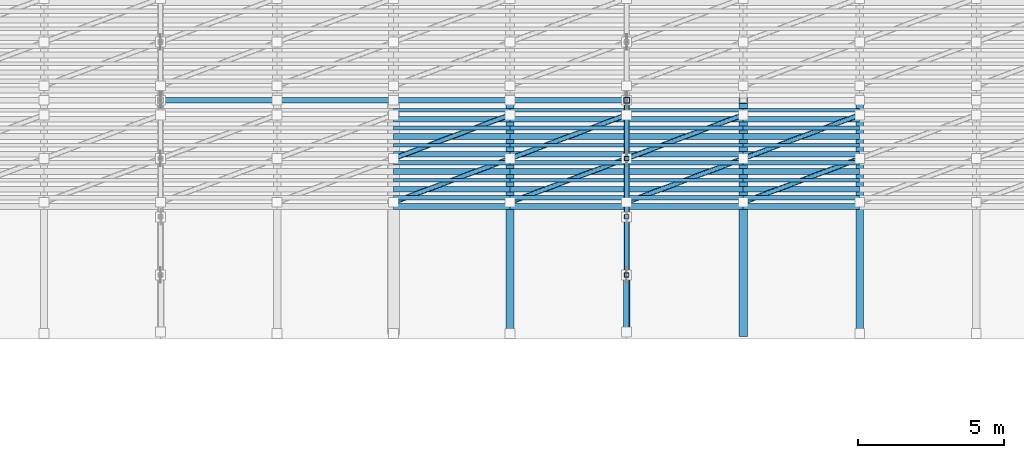
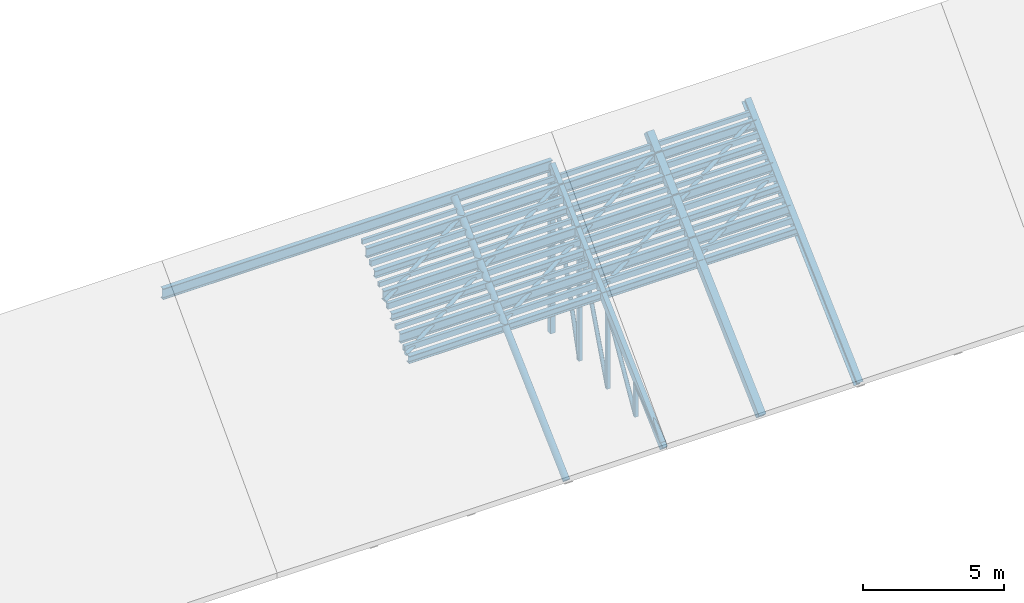
# One storey, part 7 of 18: 69 members.
"""IFC4 building model written with IfcOpenShell, lengths in metres."""

from ifc_helpers import new_model, si_unit, direction, frame, origin, origin_2d, place, context, subcontext, project, spatial, hollow_rectangle, hollow_circle, i_section, extrude, material, material_profile, profile_set, type_object, element, save


model = new_model("IFC4")

# Units and contexts
model_context = context("Model", 3, precision=1e-05, world=origin(), true_north=direction((0.0, 1.0)))
body_context = subcontext(model_context, "Body", "Model", "MODEL_VIEW")
ifc_project = project(units=[si_unit("LENGTHUNIT", "METRE"), si_unit("AREAUNIT", "SQUARE_METRE"), si_unit("VOLUMEUNIT", "CUBIC_METRE"), si_unit("PLANEANGLEUNIT", "RADIAN"), si_unit("MASSUNIT", "GRAM", prefix="KILO")], contexts=[model_context])

# Site, building, storey
site_placement = place(None, origin())
site = spatial("IfcSite", under=ifc_project, at=site_placement, CompositionType="ELEMENT")
building_placement = place(site_placement, origin())
building = spatial("IfcBuilding", under=site, at=building_placement, Name="Serraluz Foothill Cableway Terminal", CompositionType="ELEMENT")
storey_placement = place(building_placement, frame((0.0, 0.0, 24.300048828125)))
storey = spatial("IfcBuildingStorey", under=building, at=storey_placement, Name="RF", CompositionType="ELEMENT", Elevation=24.300048828125)

# Members
ifc_material_1 = material(Name="Steel ASTM A572 Grade 50", Category="steel")
ifc_material_profile_1 = material_profile(ifc_material_1, hollow_circle(Radius=0.084228515625, WallThickness=0.010009765625, at=origin_2d()), Name="CHS168X10")
ifc_profile_set_1 = profile_set([ifc_material_profile_1], Name="Steel ASTM A572 Grade 50")
member_type_1 = type_object("IfcMemberType", Name="TYP-BR-CHS168", PredefinedType="BRACE", material=ifc_profile_set_1)
member_1_placement = place(storey_placement, frame((120.0, 58.0302734375, -4.568115234375), z_axis=(0.0, 0.502584169831, 0.864528283074), x_axis=(-1.0, 0.0, 0.0)))
element("IfcMember", 1, at=member_1_placement, inside=storey, type_object=member_type_1, Name="ROOF TRUSS TR-06 Diagonal 2", PredefinedType="BRACE", context=body_context, shape_type="SweptSolid", body=[
    extrude(hollow_circle(Radius=0.084228515625, WallThickness=0.010009765625, at=origin_2d()), origin(), (0.0, 0.0, 1.0), 3.85888671875),
])
member_2_placement = place(storey_placement, frame((120.0, 60.02099609375, -4.56396484375), z_axis=(0.0, 0.352230195063, 0.935913398604), x_axis=(-1.0, 0.0, 0.0)))
element("IfcMember", 2, at=member_2_placement, inside=storey, type_object=member_type_1, Name="ROOF TRUSS TR-06 Diagonal 3", PredefinedType="BRACE", context=body_context, shape_type="SweptSolid", body=[
    extrude(hollow_circle(Radius=0.084228515625, WallThickness=0.010009765625, at=origin_2d()), origin(), (0.0, 0.0, 1.0), 5.558837890625),
])
member_3_placement = place(storey_placement, frame((120.0, 62.01611328125, -4.562255859375), z_axis=(0.0, 0.26797823219, 0.963424967017), x_axis=(-1.0, 0.0, 0.0)))
element("IfcMember", 3, at=member_3_placement, inside=storey, type_object=member_type_1, Name="ROOF TRUSS TR-06 Diagonal 4", PredefinedType="BRACE", context=body_context, shape_type="SweptSolid", body=[
    extrude(hollow_circle(Radius=0.084228515625, WallThickness=0.010009765625, at=origin_2d()), origin(), (0.0, 0.0, 1.0), 7.343017578125),
])
for number, where, z_axis, x_axis, name in (
    (4, (112.0, 60.5, -0.641357421875), (0.889382269185, 0.333518350944, 0.31267345401), (-0.351123441588, 0.936329177569, 0.0), "Roof Lateral Wind Brace 0529"),
    (5, (112.0, 62.0, 0.764892578125), (0.889382269185, 0.333518350944, 0.31267345401), (-0.351123441588, 0.936329177569, 0.0), "Roof Lateral Wind Brace 0530"),
    (6, (116.0, 60.5, -0.641357421875), (0.889382269185, 0.333518350944, 0.31267345401), (-0.351123441588, 0.936329177569, 0.0), "Roof Lateral Wind Brace 0557"),
    (7, (116.0, 62.0, 0.764892578125), (0.889382269185, 0.333518350944, 0.31267345401), (-0.351123441588, 0.936329177569, 0.0), "Roof Lateral Wind Brace 0558"),
    (8, (120.0, 60.5, -0.641357421875), (0.889382269185, 0.333518350944, 0.31267345401), (-0.351123441588, 0.936329177569, 0.0), "Roof Lateral Wind Brace 0585"),
    (9, (120.0, 62.0, 0.764892578125), (0.889382269185, 0.333518350944, 0.31267345401), (-0.351123441588, 0.936329177569, 0.0), "Roof Lateral Wind Brace 0586"),
    (10, (124.0, 60.5, -0.641357421875), (0.889382269185, 0.333518350944, 0.31267345401), (-0.351123441588, 0.936329177569, 0.0), "Roof Lateral Wind Brace 0613"),
    (11, (124.0, 62.0, 0.764892578125), (0.889382269185, 0.333518350944, 0.31267345401), (-0.351123441588, 0.936329177569, 0.0), "Roof Lateral Wind Brace 0614"),
):
    element("IfcMember", number, at=place(storey_placement, frame(where, z_axis=z_axis, x_axis=x_axis)), inside=storey, type_object=member_type_1, Name=name, PredefinedType="BRACE", context=body_context, shape_type="SweptSolid", body=[
        extrude(hollow_circle(Radius=0.084228515625, WallThickness=0.010009765625, at=origin_2d()), origin(), (0.0, 0.0, 1.0), 4.49755859375),
    ])
ifc_material_profile_2 = material_profile(ifc_material_1, hollow_circle(Radius=0.109619140625, WallThickness=0.011962890625, at=origin_2d()), Name="CHS219X12")
ifc_profile_set_2 = profile_set([ifc_material_profile_2], Name="Steel ASTM A572 Grade 50")
member_type_2 = type_object("IfcMemberType", Name="TYP-BR-CHS219", PredefinedType="BRACE", material=ifc_profile_set_2)
member_4_placement = place(storey_placement, frame((120.0, 56.04736328125, -4.5830078125), z_axis=(0.0, 0.787528424659, 0.616278330265), x_axis=(-1.0, 0.0, 0.0)))
element("IfcMember", 12, at=member_4_placement, inside=storey, type_object=member_type_2, Name="ROOF TRUSS TR-06 Diagonal 1", PredefinedType="BRACE", context=body_context, shape_type="SweptSolid", body=[
    extrude(hollow_circle(Radius=0.109619140625, WallThickness=0.011962890625, at=origin_2d()), origin(), (0.0, 0.0, 1.0), 2.419189453125),
])
ifc_material_profile_3 = material_profile(ifc_material_1, hollow_circle(Radius=0.136474609375, WallThickness=0.011962890625, at=origin_2d()), Name="CHS273X12")
ifc_profile_set_3 = profile_set([ifc_material_profile_3], Name="Steel ASTM A572 Grade 50")
member_type_3 = type_object("IfcMemberType", Name="TYP-BR-CHS273", PredefinedType="BRACE", material=ifc_profile_set_3)
member_5_placement = place(storey_placement, frame((116.0, 56.0, -4.800048828125), z_axis=(0.0, 0.72953720414, 0.683941128881), x_axis=(-1.0, 0.0, 0.0)))
element("IfcMember", 13, at=member_5_placement, inside=storey, type_object=member_type_3, Name="Secondary Roof Rafter 0029", PredefinedType="BRACE", context=body_context, shape_type="SweptSolid", body=[
    extrude(hollow_circle(Radius=0.136474609375, WallThickness=0.011962890625, at=origin_2d()), origin(), (0.0, 0.0, 1.0), 10.9658203125),
])
ifc_material_profile_4 = material_profile(ifc_material_1, hollow_rectangle(XDim=0.14990234375, YDim=0.14990234375, WallThickness=0.010009765625, at=origin_2d()), Name="HSS150X150X10")
ifc_profile_set_4 = profile_set([ifc_material_profile_4], Name="Steel ASTM A572 Grade 50")
member_type_4 = type_object("IfcMemberType", Name="TYP-BR-HSS150", PredefinedType="BRACE", material=ifc_profile_set_4)
member_6_placement = place(storey_placement, frame((120.0, 58.0, -4.610107421875), z_axis=(0.0, 0.0, 1.0), x_axis=(1.0, 0.0, 0.0)))
element("IfcMember", 14, at=member_6_placement, inside=storey, type_object=member_type_4, Name="ROOF TRUSS TR-06 Web Post 1", PredefinedType="BRACE", context=body_context, shape_type="SweptSolid", body=[
    extrude(hollow_rectangle(XDim=0.14990234375, YDim=0.14990234375, WallThickness=0.010009765625, at=origin_2d()), origin(), (0.0, 0.0, 1.0), 1.545166015625),
])
member_7_placement = place(storey_placement, frame((120.0, 60.0, -4.610107421875), z_axis=(0.0, 0.0, 1.0), x_axis=(1.0, 0.0, 0.0)))
element("IfcMember", 15, at=member_7_placement, inside=storey, type_object=member_type_4, Name="ROOF TRUSS TR-06 Web Post 2", PredefinedType="BRACE", context=body_context, shape_type="SweptSolid", body=[
    extrude(hollow_rectangle(XDim=0.14990234375, YDim=0.14990234375, WallThickness=0.010009765625, at=origin_2d()), origin(), (0.0, 0.0, 1.0), 3.420166015625),
])
member_8_placement = place(storey_placement, frame((120.0, 62.0, -4.610107421875), z_axis=(0.0, 0.0, 1.0), x_axis=(1.0, 0.0, 0.0)))
element("IfcMember", 16, at=member_8_placement, inside=storey, type_object=member_type_4, Name="ROOF TRUSS TR-06 Web Post 3", PredefinedType="BRACE", context=body_context, shape_type="SweptSolid", body=[
    extrude(hollow_rectangle(XDim=0.14990234375, YDim=0.14990234375, WallThickness=0.010009765625, at=origin_2d()), origin(), (0.0, 0.0, 1.0), 5.295166015625),
])
ifc_material_profile_5 = material_profile(ifc_material_1, hollow_rectangle(XDim=0.199951171875, YDim=0.199951171875, WallThickness=0.011962890625, at=origin_2d()), Name="HSS200X200X12")
ifc_profile_set_5 = profile_set([ifc_material_profile_5], Name="Steel ASTM A572 Grade 50")
member_type_5 = type_object("IfcMemberType", Name="TYP-BR-HSS200", PredefinedType="BRACE", material=ifc_profile_set_5)
member_9_placement = place(storey_placement, frame((120.0, 64.0, -4.610107421875), z_axis=(0.0, 0.0, 1.0), x_axis=(1.0, 0.0, 0.0)))
element("IfcMember", 17, at=member_9_placement, inside=storey, type_object=member_type_5, Name="ROOF TRUSS TR-06 Web Post 4", PredefinedType="BRACE", context=body_context, shape_type="SweptSolid", body=[
    extrude(hollow_rectangle(XDim=0.199951171875, YDim=0.199951171875, WallThickness=0.011962890625, at=origin_2d()), origin(), (0.0, 0.0, 1.0), 7.170166015625),
])
ifc_material_2 = material(Name="Steel ASTM A992 Grade 50", Category="steel")
ifc_material_profile_6 = material_profile(ifc_material_2, i_section(OverallWidth=0.25390625, OverallDepth=0.35595703125, WebThickness=0.010498046875, FlangeThickness=0.018310546875, FilletRadius=0.014892578125, at=origin_2d()), Name="W14X68")
ifc_profile_set_6 = profile_set([ifc_material_profile_6], Name="Steel ASTM A992 Grade 50")
member_type_6 = type_object("IfcMemberType", Name="TYP-BR-W14X68", PredefinedType="BRACE", material=ifc_profile_set_6)
member_10_placement = place(storey_placement, frame((128.0, 56.0, -4.800048828125), z_axis=(0.0, 0.72953720414, 0.683941128881), x_axis=(-1.0, 0.0, 0.0)))
element("IfcMember", 18, at=member_10_placement, inside=storey, type_object=member_type_6, Name="Secondary Roof Rafter 0033", PredefinedType="BRACE", context=body_context, shape_type="SweptSolid", body=[
    extrude(i_section(OverallWidth=0.25390625, OverallDepth=0.35595703125, WebThickness=0.010498046875, FlangeThickness=0.018310546875, FilletRadius=0.014892578125, at=origin_2d()), origin(), (0.0, 0.0, 1.0), 10.9658203125),
])
ifc_material_profile_7 = material_profile(ifc_material_1, hollow_rectangle(XDim=0.300048828125, YDim=0.300048828125, WallThickness=0.01611328125, at=origin_2d()), Name="HSS300X300X16")
ifc_profile_set_7 = profile_set([ifc_material_profile_7], Name="Steel ASTM A572 Grade 50")
member_type_7 = type_object("IfcMemberType", Name="TYP-CH-HSS300", PredefinedType="CHORD", material=ifc_profile_set_7)
member_11_placement = place(storey_placement, frame((124.0, 56.0, -4.800048828125), z_axis=(0.0, 0.72953720414, 0.683941128881), x_axis=(-1.0, 0.0, 0.0)))
element("IfcMember", 19, at=member_11_placement, inside=storey, type_object=member_type_7, Name="Secondary Roof Rafter 0031", PredefinedType="CHORD", context=body_context, shape_type="SweptSolid", body=[
    extrude(hollow_rectangle(XDim=0.300048828125, YDim=0.300048828125, WallThickness=0.01611328125, at=origin_2d()), origin(), (0.0, 0.0, 1.0), 10.9658203125),
])
ifc_material_profile_8 = material_profile(ifc_material_1, hollow_rectangle(XDim=0.199951171875, YDim=0.300048828125, WallThickness=0.011962890625, at=origin_2d()), Name="HSS300X200X12")
ifc_profile_set_8 = profile_set([ifc_material_profile_8], Name="Steel ASTM A572 Grade 50")
member_type_8 = type_object("IfcMemberType", Name="TYP-CH-HSS300X200", PredefinedType="CHORD", material=ifc_profile_set_8)
member_12_placement = place(storey_placement, frame((120.0, 56.0, -4.800048828125), z_axis=(0.0, 0.72953720414, 0.683941128881), x_axis=(-1.0, 0.0, 0.0)))
element("IfcMember", 20, at=member_12_placement, inside=storey, type_object=member_type_8, Name="ROOF TRUSS TR-06 Top Chord 1", PredefinedType="CHORD", context=body_context, shape_type="SweptSolid", body=[
    extrude(hollow_rectangle(XDim=0.199951171875, YDim=0.300048828125, WallThickness=0.011962890625, at=origin_2d()), origin(), (0.0, 0.0, 1.0), 10.9658203125),
])
ifc_material_profile_9 = material_profile(ifc_material_1, hollow_rectangle(XDim=0.1201171875, YDim=0.199951171875, WallThickness=0.008056640625, at=origin_2d()), Name="HSS200X120X8")
ifc_profile_set_9 = profile_set([ifc_material_profile_9], Name="Steel ASTM A572 Grade 50")
member_type_9 = type_object("IfcMemberType", Name="TYP-PR-HSS200X120", PredefinedType="PURLIN", material=ifc_profile_set_9)
for number, where, z_axis, x_axis, name in (
    (21, (112.0, 61.25, 0.081787109375), (1.0, 0.0, 0.0), (0.0, 1.0, 0.0), "Secondary Roof Purlin 0508"),
    (22, (112.0, 62.449951171875, 1.206787109375), (1.0, 0.0, 0.0), (0.0, 1.0, 0.0), "Secondary Roof Purlin 0512"),
    (23, (112.0, 63.64990234375, 2.331787109375), (1.0, 0.0, 0.0), (0.0, 1.0, 0.0), "Secondary Roof Purlin 0516"),
    (24, (116.0, 61.25, 0.081787109375), (1.0, 0.0, 0.0), (0.0, 1.0, 0.0), "Secondary Roof Purlin 0536"),
    (25, (116.0, 62.449951171875, 1.206787109375), (1.0, 0.0, 0.0), (0.0, 1.0, 0.0), "Secondary Roof Purlin 0540"),
    (26, (116.0, 63.64990234375, 2.331787109375), (1.0, 0.0, 0.0), (0.0, 1.0, 0.0), "Secondary Roof Purlin 0544"),
    (27, (120.0, 61.25, 0.081787109375), (1.0, 0.0, 0.0), (0.0, 1.0, 0.0), "Secondary Roof Purlin 0564"),
    (28, (120.0, 62.449951171875, 1.206787109375), (1.0, 0.0, 0.0), (0.0, 1.0, 0.0), "Secondary Roof Purlin 0568"),
    (29, (120.0, 63.64990234375, 2.331787109375), (1.0, 0.0, 0.0), (0.0, 1.0, 0.0), "Secondary Roof Purlin 0572"),
    (30, (124.0, 61.25, 0.081787109375), (1.0, 0.0, 0.0), (0.0, 1.0, 0.0), "Secondary Roof Purlin 0592"),
    (31, (124.0, 62.449951171875, 1.206787109375), (1.0, 0.0, 0.0), (0.0, 1.0, 0.0), "Secondary Roof Purlin 0596"),
    (32, (124.0, 63.64990234375, 2.331787109375), (1.0, 0.0, 0.0), (0.0, 1.0, 0.0), "Secondary Roof Purlin 0600"),
):
    element("IfcMember", number, at=place(storey_placement, frame(where, z_axis=z_axis, x_axis=x_axis)), inside=storey, type_object=member_type_9, Name=name, PredefinedType="PURLIN", context=body_context, shape_type="SweptSolid", body=[
        extrude(hollow_rectangle(XDim=0.1201171875, YDim=0.199951171875, WallThickness=0.008056640625, at=origin_2d()), origin(), (0.0, 0.0, 1.0), 4.0),
    ])
ifc_material_profile_10 = material_profile(ifc_material_1, hollow_rectangle(XDim=0.14990234375, YDim=0.25, WallThickness=0.010009765625, at=origin_2d()), Name="HSS250X150X10")
ifc_profile_set_10 = profile_set([ifc_material_profile_10], Name="Steel ASTM A572 Grade 50")
member_type_10 = type_object("IfcMemberType", Name="TYP-PR-HSS250X150", PredefinedType="PURLIN", material=ifc_profile_set_10)
for number, where, z_axis, x_axis, name in (
    (33, (112.0, 60.64990234375, -0.480712890625), (1.0, 0.0, 0.0), (0.0, 1.0, 0.0), "Secondary Roof Purlin 0506"),
    (34, (112.0, 61.85009765625, 0.644287109375), (1.0, 0.0, 0.0), (0.0, 1.0, 0.0), "Secondary Roof Purlin 0510"),
    (35, (112.0, 63.050048828125, 1.769287109375), (1.0, 0.0, 0.0), (0.0, 1.0, 0.0), "Secondary Roof Purlin 0514"),
    (36, (116.0, 60.64990234375, -0.480712890625), (1.0, 0.0, 0.0), (0.0, 1.0, 0.0), "Secondary Roof Purlin 0534"),
    (37, (116.0, 61.85009765625, 0.644287109375), (1.0, 0.0, 0.0), (0.0, 1.0, 0.0), "Secondary Roof Purlin 0538"),
    (38, (116.0, 63.050048828125, 1.769287109375), (1.0, 0.0, 0.0), (0.0, 1.0, 0.0), "Secondary Roof Purlin 0542"),
    (39, (120.0, 60.64990234375, -0.480712890625), (1.0, 0.0, 0.0), (0.0, 1.0, 0.0), "Secondary Roof Purlin 0562"),
    (40, (120.0, 61.85009765625, 0.644287109375), (1.0, 0.0, 0.0), (0.0, 1.0, 0.0), "Secondary Roof Purlin 0566"),
    (41, (120.0, 63.050048828125, 1.769287109375), (1.0, 0.0, 0.0), (0.0, 1.0, 0.0), "Secondary Roof Purlin 0570"),
    (42, (124.0, 60.64990234375, -0.480712890625), (1.0, 0.0, 0.0), (0.0, 1.0, 0.0), "Secondary Roof Purlin 0590"),
    (43, (124.0, 61.85009765625, 0.644287109375), (1.0, 0.0, 0.0), (0.0, 1.0, 0.0), "Secondary Roof Purlin 0594"),
    (44, (124.0, 63.050048828125, 1.769287109375), (1.0, 0.0, 0.0), (0.0, 1.0, 0.0), "Secondary Roof Purlin 0598"),
):
    element("IfcMember", number, at=place(storey_placement, frame(where, z_axis=z_axis, x_axis=x_axis)), inside=storey, type_object=member_type_10, Name=name, PredefinedType="PURLIN", context=body_context, shape_type="SweptSolid", body=[
        extrude(hollow_rectangle(XDim=0.14990234375, YDim=0.25, WallThickness=0.010009765625, at=origin_2d()), origin(), (0.0, 0.0, 1.0), 4.0),
    ])
ifc_material_profile_11 = material_profile(ifc_material_2, i_section(OverallWidth=0.205078125, OverallDepth=0.31005859375, WebThickness=0.009521484375, FlangeThickness=0.016357421875, FilletRadius=0.012939453125, at=origin_2d()), Name="W12X50")
ifc_profile_set_11 = profile_set([ifc_material_profile_11], Name="Steel ASTM A992 Grade 50")
member_type_11 = type_object("IfcMemberType", Name="TYP-PR-W12X50", PredefinedType="PURLIN", material=ifc_profile_set_11)
for number, where, z_axis, x_axis, name in (
    (45, (112.0, 60.35009765625, -0.761962890625), (1.0, 0.0, 0.0), (0.0, 1.0, 0.0), "Secondary Roof Purlin 0505"),
    (46, (112.0, 61.550048828125, 0.363037109375), (1.0, 0.0, 0.0), (0.0, 1.0, 0.0), "Secondary Roof Purlin 0509"),
    (47, (112.0, 62.75, 1.488037109375), (1.0, 0.0, 0.0), (0.0, 1.0, 0.0), "Secondary Roof Purlin 0513"),
    (48, (116.0, 60.35009765625, -0.761962890625), (1.0, 0.0, 0.0), (0.0, 1.0, 0.0), "Secondary Roof Purlin 0533"),
    (49, (116.0, 61.550048828125, 0.363037109375), (1.0, 0.0, 0.0), (0.0, 1.0, 0.0), "Secondary Roof Purlin 0537"),
    (50, (116.0, 62.75, 1.488037109375), (1.0, 0.0, 0.0), (0.0, 1.0, 0.0), "Secondary Roof Purlin 0541"),
    (51, (120.0, 60.35009765625, -0.761962890625), (1.0, 0.0, 0.0), (0.0, 1.0, 0.0), "Secondary Roof Purlin 0561"),
    (52, (120.0, 61.550048828125, 0.363037109375), (1.0, 0.0, 0.0), (0.0, 1.0, 0.0), "Secondary Roof Purlin 0565"),
    (53, (120.0, 62.75, 1.488037109375), (1.0, 0.0, 0.0), (0.0, 1.0, 0.0), "Secondary Roof Purlin 0569"),
    (54, (124.0, 60.35009765625, -0.761962890625), (1.0, 0.0, 0.0), (0.0, 1.0, 0.0), "Secondary Roof Purlin 0589"),
    (55, (124.0, 61.550048828125, 0.363037109375), (1.0, 0.0, 0.0), (0.0, 1.0, 0.0), "Secondary Roof Purlin 0593"),
    (56, (124.0, 62.75, 1.488037109375), (1.0, 0.0, 0.0), (0.0, 1.0, 0.0), "Secondary Roof Purlin 0597"),
):
    element("IfcMember", number, at=place(storey_placement, frame(where, z_axis=z_axis, x_axis=x_axis)), inside=storey, type_object=member_type_11, Name=name, PredefinedType="PURLIN", context=body_context, shape_type="SweptSolid", body=[
        extrude(i_section(OverallWidth=0.205078125, OverallDepth=0.31005859375, WebThickness=0.009521484375, FlangeThickness=0.016357421875, FilletRadius=0.012939453125, at=origin_2d()), origin(), (0.0, 0.0, 1.0), 4.0),
    ])
ifc_material_profile_12 = material_profile(ifc_material_2, i_section(OverallWidth=0.180908203125, OverallDepth=0.4169921875, WebThickness=0.010986328125, FlangeThickness=0.018310546875, FilletRadius=0.013916015625, at=origin_2d()), Name="W16X57")
ifc_profile_set_12 = profile_set([ifc_material_profile_12], Name="Steel ASTM A992 Grade 50")
member_type_12 = type_object("IfcMemberType", Name="TYP-PR-W16X57", PredefinedType="PURLIN", material=ifc_profile_set_12)
for number, where, z_axis, x_axis, name in (
    (57, (112.0, 60.949951171875, -0.199462890625), (1.0, 0.0, 0.0), (0.0, 1.0, 0.0), "Secondary Roof Purlin 0507"),
    (58, (112.0, 62.14990234375, 0.925537109375), (1.0, 0.0, 0.0), (0.0, 1.0, 0.0), "Secondary Roof Purlin 0511"),
    (59, (112.0, 63.35009765625, 2.050537109375), (1.0, 0.0, 0.0), (0.0, 1.0, 0.0), "Secondary Roof Purlin 0515"),
    (60, (116.0, 60.949951171875, -0.199462890625), (1.0, 0.0, 0.0), (0.0, 1.0, 0.0), "Secondary Roof Purlin 0535"),
    (61, (116.0, 62.14990234375, 0.925537109375), (1.0, 0.0, 0.0), (0.0, 1.0, 0.0), "Secondary Roof Purlin 0539"),
    (62, (116.0, 63.35009765625, 2.050537109375), (1.0, 0.0, 0.0), (0.0, 1.0, 0.0), "Secondary Roof Purlin 0543"),
    (63, (120.0, 60.949951171875, -0.199462890625), (1.0, 0.0, 0.0), (0.0, 1.0, 0.0), "Secondary Roof Purlin 0563"),
    (64, (120.0, 62.14990234375, 0.925537109375), (1.0, 0.0, 0.0), (0.0, 1.0, 0.0), "Secondary Roof Purlin 0567"),
    (65, (120.0, 63.35009765625, 2.050537109375), (1.0, 0.0, 0.0), (0.0, 1.0, 0.0), "Secondary Roof Purlin 0571"),
    (66, (124.0, 60.949951171875, -0.199462890625), (1.0, 0.0, 0.0), (0.0, 1.0, 0.0), "Secondary Roof Purlin 0591"),
    (67, (124.0, 62.14990234375, 0.925537109375), (1.0, 0.0, 0.0), (0.0, 1.0, 0.0), "Secondary Roof Purlin 0595"),
    (68, (124.0, 63.35009765625, 2.050537109375), (1.0, 0.0, 0.0), (0.0, 1.0, 0.0), "Secondary Roof Purlin 0599"),
):
    element("IfcMember", number, at=place(storey_placement, frame(where, z_axis=z_axis, x_axis=x_axis)), inside=storey, type_object=member_type_12, Name=name, PredefinedType="PURLIN", context=body_context, shape_type="SweptSolid", body=[
        extrude(i_section(OverallWidth=0.180908203125, OverallDepth=0.4169921875, WebThickness=0.010986328125, FlangeThickness=0.018310546875, FilletRadius=0.013916015625, at=origin_2d()), origin(), (0.0, 0.0, 1.0), 4.0),
    ])
ifc_material_profile_13 = material_profile(ifc_material_2, i_section(OverallWidth=0.193115234375, OverallDepth=0.467041015625, WebThickness=0.011474609375, FlangeThickness=0.01904296875, FilletRadius=0.014892578125, at=origin_2d()), Name="W18X65")
ifc_profile_set_13 = profile_set([ifc_material_profile_13], Name="Steel ASTM A992 Grade 50")
member_type_13 = type_object("IfcMemberType", Name="TYP-PR-W18X65", PredefinedType="PURLIN", material=ifc_profile_set_13)
member_13_placement = place(storey_placement, frame((104.0, 64.0, 2.679931640625), z_axis=(1.0, 0.0, 0.0), x_axis=(0.0, 1.0, 0.0)))
element("IfcMember", 69, at=member_13_placement, inside=storey, type_object=member_type_13, Name="Primary Roof Ridge/Eave Purlin 5-64", PredefinedType="PURLIN", context=body_context, shape_type="SweptSolid", body=[
    extrude(i_section(OverallWidth=0.193115234375, OverallDepth=0.467041015625, WebThickness=0.011474609375, FlangeThickness=0.01904296875, FilletRadius=0.014892578125, at=origin_2d()), origin(), (0.0, 0.0, 1.0), 16.0),
])

save(model, "model.ifc")
